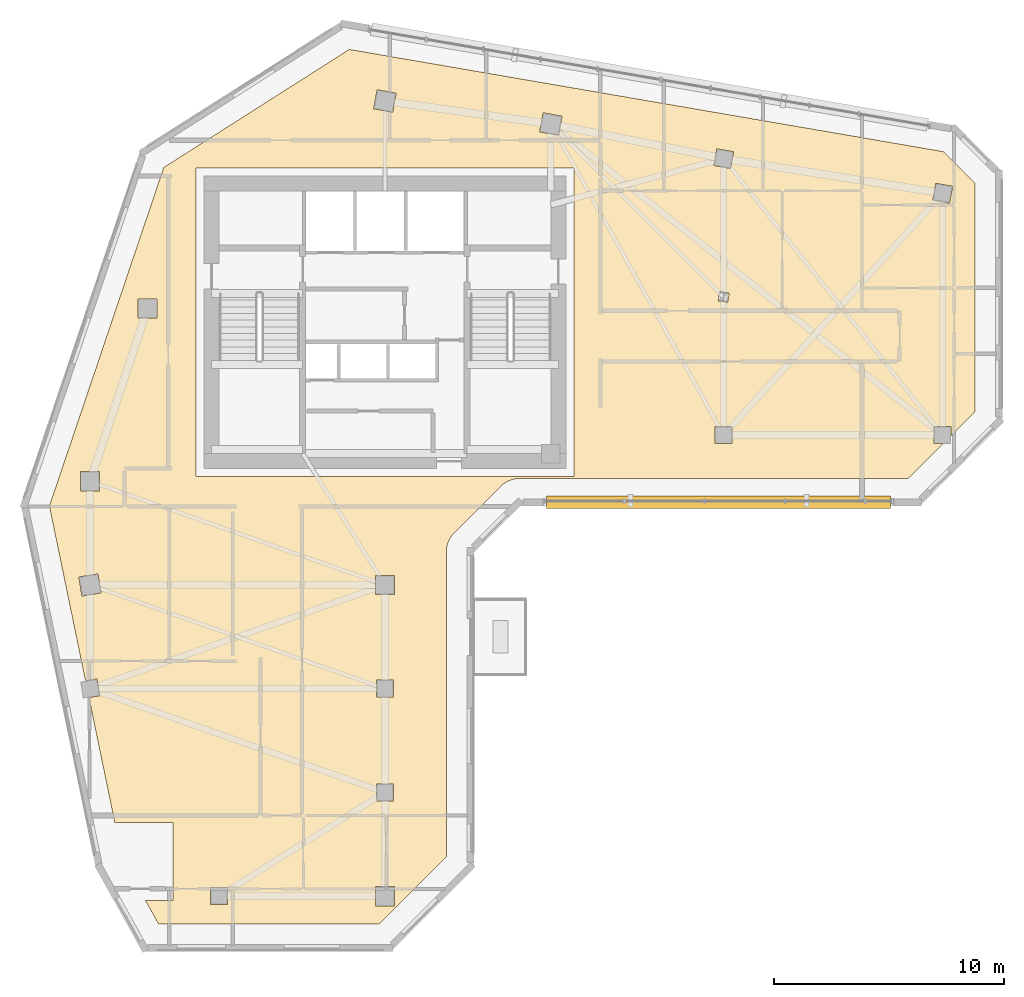
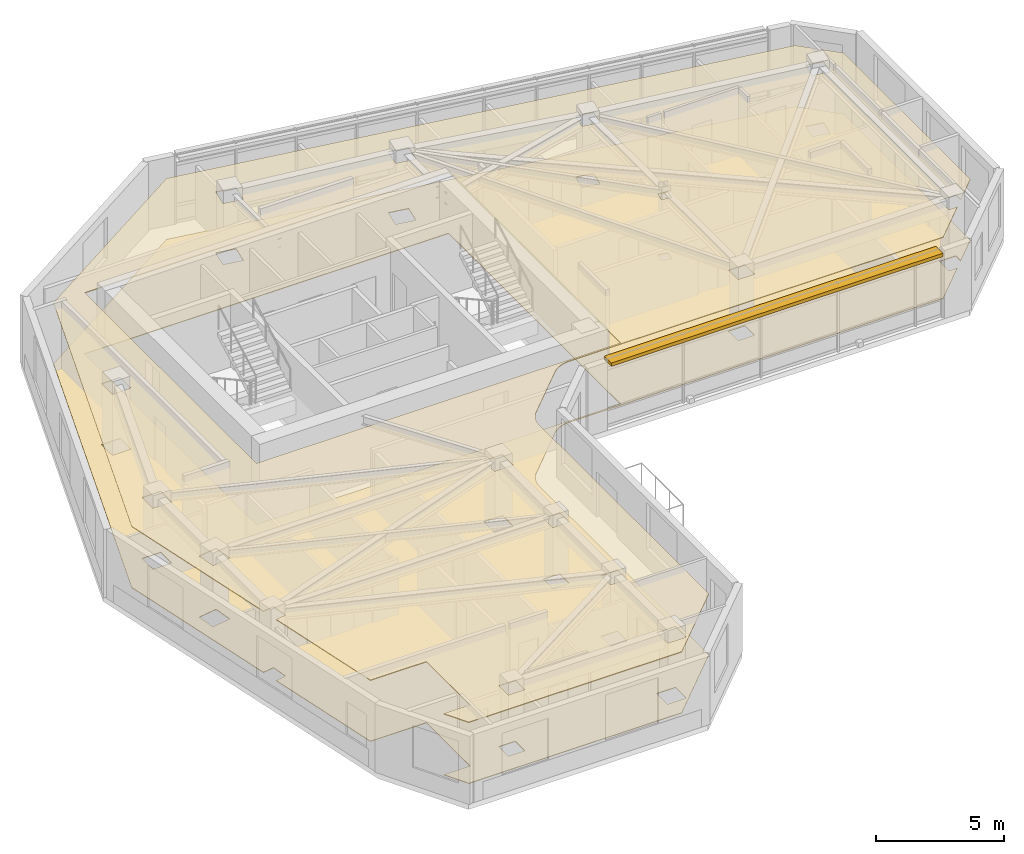
# One storey, part 9 of 10: 2 coverings, 1 shading device.
"""IFC4 building model written with IfcOpenShell, lengths in metres."""

from ifc_helpers import new_model, si_unit, direction, frame, frame_2d, origin, place, context, subcontext, project, spatial, polyline, rectangle, outline, extrude, material, layer, layer_set, type_object, element, save


model = new_model("IFC4")

# Units and contexts
model_context = context("Model", 3, precision=1e-05, world=origin(), true_north=direction((0.0, 1.0)))
body_context = subcontext(model_context, "Body", "Model", "MODEL_VIEW")
ifc_project = project(units=[si_unit("LENGTHUNIT", "METRE"), si_unit("AREAUNIT", "SQUARE_METRE"), si_unit("VOLUMEUNIT", "CUBIC_METRE"), si_unit("PLANEANGLEUNIT", "RADIAN"), si_unit("MASSUNIT", "GRAM", prefix="KILO")], contexts=[model_context])

# Site, building, storey
site_placement = place(None, origin())
site = spatial("IfcSite", under=ifc_project, at=site_placement, CompositionType="ELEMENT")
building_placement = place(site_placement, origin())
building = spatial("IfcBuilding", under=site, at=building_placement, Name="Calvemar Wedge Station Tower", CompositionType="ELEMENT")
storey_placement = place(building_placement, frame((0.0, 0.0, 193.89990234375)))
storey = spatial("IfcBuildingStorey", under=building, at=storey_placement, Name="L48", CompositionType="ELEMENT", Elevation=193.89990234375)

# Coverings
ifc_material_1 = material(Name="Moisture-resistant gypsum ceiling")
ifc_layer_1 = layer(ifc_material_1, 0.0400390625)
ifc_layer_set_1 = layer_set([ifc_layer_1], Name="Moisture-resistant gypsum ceiling")
covering_type_1 = type_object("IfcCoveringType", Name="COV-CEIL-GYPSUM", PredefinedType="CEILING", material=ifc_layer_set_1)
covering_1_placement = place(storey_placement, frame((0.0, 0.0, 2.900146484375)))
element("IfcCovering", 1, at=covering_1_placement, inside=storey, type_object=covering_type_1, Name="Storey L48 Acoustic Suspended Ceiling", PredefinedType="CEILING", context=body_context, shape_type="SweptSolid", body=[
    extrude(outline(polyline([(26.8154296875, 30.7724609375), (28.8154296875, 32.7724609375), (28.902587890625, 32.8515625), (28.997314453125, 32.921875), (29.098388671875, 32.982421875), (29.204833984375, 33.03271484375), (29.315673828125, 33.072265625), (29.429931640625, 33.100830078125), (29.54638671875, 33.1181640625), (29.6640625, 33.1240234375), (46.5029296875, 33.1240234375), (48.0087890625, 34.6298828125), (47.6298828125, 34.6298828125), (47.6298828125, 35.3701171875), (48.3701171875, 35.3701171875), (48.3701171875, 34.9912109375), (49.39990234375, 36.02099609375), (49.39990234375, 45.927001953125), (48.02099609375, 47.305908203125), (22.25341796875, 51.73876953125), (14.201416015625, 46.614990234375), (9.240966796875, 31.92431640625), (10.806884765625, 24.34375), (11.306884765625, 24.423828125), (11.423828125, 23.693115234375), (10.956787109375, 23.618408203125), (12.076171875, 18.199951171875), (14.60009765625, 18.199951171875), (14.60009765625, 14.800048828125), (13.41455078125, 14.800048828125), (13.97021484375, 13.800048828125), (23.56689453125, 13.800048828125), (26.464111328125, 16.697021484375), (26.464111328125, 29.924072265625), (26.4697265625, 30.04150390625), (26.487060546875, 30.158203125), (26.515625, 30.272216796875), (26.555419921875, 30.38330078125), (26.605712890625, 30.48974609375), (26.666259765625, 30.5908203125), (26.736328125, 30.685302734375), (26.8154296875, 30.7724609375)]), holes=[polyline([(15.60009765625, 46.60009765625), (32.0, 46.60009765625), (32.0, 33.199951171875), (15.60009765625, 33.199951171875), (15.60009765625, 46.60009765625)]), polyline([(10.580078125, 32.580078125), (10.580078125, 33.419921875), (11.419921875, 33.419921875), (11.419921875, 32.580078125), (10.580078125, 32.580078125)]), polyline([(13.080078125, 40.919921875), (13.919921875, 40.919921875), (13.919921875, 40.080078125), (13.080078125, 40.080078125), (13.080078125, 40.919921875)]), polyline([(24.28759765625, 49.839111328125), (24.138916015625, 49.01220703125), (23.312255859375, 49.160888671875), (23.4609375, 49.98779296875), (24.28759765625, 49.839111328125)]), polyline([(31.339111328125, 48.01220703125), (30.51220703125, 48.160888671875), (30.660888671875, 48.98779296875), (31.48779296875, 48.839111328125), (31.339111328125, 48.01220703125)]), polyline([(38.0703125, 46.701416015625), (38.201416015625, 47.4296875), (38.9296875, 47.298583984375), (38.798583984375, 46.5703125), (38.0703125, 46.701416015625)]), polyline([(47.701416015625, 45.9296875), (48.4296875, 45.798583984375), (48.298583984375, 45.0703125), (47.5703125, 45.201416015625), (47.701416015625, 45.9296875)]), polyline([(38.8701171875, 35.3701171875), (38.8701171875, 34.6298828125), (38.1298828125, 34.6298828125), (38.1298828125, 35.3701171875), (38.8701171875, 35.3701171875)]), polyline([(38.259765625, 40.833984375), (38.332763671875, 41.239501953125), (38.740234375, 41.166015625), (38.667236328125, 40.760498046875), (38.259765625, 40.833984375)]), polyline([(11.348388671875, 28.981201171875), (11.481201171875, 28.151611328125), (10.651611328125, 28.018798828125), (10.518798828125, 28.848388671875), (11.348388671875, 28.981201171875)]), polyline([(24.219970703125, 28.080078125), (23.3798828125, 28.080078125), (23.3798828125, 28.919921875), (24.219970703125, 28.919921875), (24.219970703125, 28.080078125)]), polyline([(23.429931640625, 23.6298828125), (23.429931640625, 24.3701171875), (24.169921875, 24.3701171875), (24.169921875, 23.6298828125), (23.429931640625, 23.6298828125)]), polyline([(23.429931640625, 19.8701171875), (24.169921875, 19.8701171875), (24.169921875, 19.1298828125), (23.429931640625, 19.1298828125), (23.429931640625, 19.8701171875)]), polyline([(24.219970703125, 15.419921875), (24.219970703125, 14.580078125), (23.3798828125, 14.580078125), (23.3798828125, 15.419921875), (24.219970703125, 15.419921875)]), polyline([(16.969970703125, 14.6298828125), (16.22998046875, 14.6298828125), (16.22998046875, 15.3701171875), (16.969970703125, 15.3701171875), (16.969970703125, 14.6298828125)])]), origin(), (0.0, 0.0, 1.0), 0.0400390625),
])
ifc_material_2 = material(Name="Honed coastal granite stone tile", Category="masonry")
ifc_layer_2 = layer(ifc_material_2, 0.030029296875)
ifc_layer_set_2 = layer_set([ifc_layer_2], Name="Honed coastal granite stone tile")
covering_type_2 = type_object("IfcCoveringType", Name="COV-FLR-STONE", PredefinedType="FLOORING", material=ifc_layer_set_2)
covering_2_placement = place(storey_placement, origin())
element("IfcCovering", 2, at=covering_2_placement, inside=storey, type_object=covering_type_2, Name="Storey L48 Architectural Floor Finish", PredefinedType="FLOORING", context=body_context, shape_type="SweptSolid", body=[
    extrude(outline(polyline([(26.8154296875, 30.7724609375), (28.8154296875, 32.7724609375), (28.902587890625, 32.8515625), (28.997314453125, 32.921875), (29.098388671875, 32.982421875), (29.204833984375, 33.03271484375), (29.315673828125, 33.072265625), (29.429931640625, 33.100830078125), (29.54638671875, 33.1181640625), (29.6640625, 33.1240234375), (46.5029296875, 33.1240234375), (48.0087890625, 34.6298828125), (47.6298828125, 34.6298828125), (47.6298828125, 35.3701171875), (48.3701171875, 35.3701171875), (48.3701171875, 34.9912109375), (49.39990234375, 36.02099609375), (49.39990234375, 45.927001953125), (48.02099609375, 47.305908203125), (22.25341796875, 51.73876953125), (14.201416015625, 46.614990234375), (9.240966796875, 31.92431640625), (10.806884765625, 24.34375), (11.306884765625, 24.423828125), (11.423828125, 23.693115234375), (10.956787109375, 23.618408203125), (12.076171875, 18.199951171875), (14.60009765625, 18.199951171875), (14.60009765625, 14.800048828125), (13.41455078125, 14.800048828125), (13.97021484375, 13.800048828125), (23.56689453125, 13.800048828125), (26.464111328125, 16.697021484375), (26.464111328125, 29.924072265625), (26.4697265625, 30.04150390625), (26.487060546875, 30.158203125), (26.515625, 30.272216796875), (26.555419921875, 30.38330078125), (26.605712890625, 30.48974609375), (26.666259765625, 30.5908203125), (26.736328125, 30.685302734375), (26.8154296875, 30.7724609375)]), holes=[polyline([(15.60009765625, 46.60009765625), (32.0, 46.60009765625), (32.0, 33.199951171875), (15.60009765625, 33.199951171875), (15.60009765625, 46.60009765625)]), polyline([(10.580078125, 32.580078125), (10.580078125, 33.419921875), (11.419921875, 33.419921875), (11.419921875, 32.580078125), (10.580078125, 32.580078125)]), polyline([(13.080078125, 40.919921875), (13.919921875, 40.919921875), (13.919921875, 40.080078125), (13.080078125, 40.080078125), (13.080078125, 40.919921875)]), polyline([(24.28759765625, 49.839111328125), (24.138916015625, 49.01220703125), (23.312255859375, 49.160888671875), (23.4609375, 49.98779296875), (24.28759765625, 49.839111328125)]), polyline([(31.339111328125, 48.01220703125), (30.51220703125, 48.160888671875), (30.660888671875, 48.98779296875), (31.48779296875, 48.839111328125), (31.339111328125, 48.01220703125)]), polyline([(38.0703125, 46.701416015625), (38.201416015625, 47.4296875), (38.9296875, 47.298583984375), (38.798583984375, 46.5703125), (38.0703125, 46.701416015625)]), polyline([(47.701416015625, 45.9296875), (48.4296875, 45.798583984375), (48.298583984375, 45.0703125), (47.5703125, 45.201416015625), (47.701416015625, 45.9296875)]), polyline([(38.8701171875, 35.3701171875), (38.8701171875, 34.6298828125), (38.1298828125, 34.6298828125), (38.1298828125, 35.3701171875), (38.8701171875, 35.3701171875)]), polyline([(38.259765625, 40.833984375), (38.332763671875, 41.239501953125), (38.740234375, 41.166015625), (38.667236328125, 40.760498046875), (38.259765625, 40.833984375)]), polyline([(11.348388671875, 28.981201171875), (11.481201171875, 28.151611328125), (10.651611328125, 28.018798828125), (10.518798828125, 28.848388671875), (11.348388671875, 28.981201171875)]), polyline([(24.219970703125, 28.080078125), (23.3798828125, 28.080078125), (23.3798828125, 28.919921875), (24.219970703125, 28.919921875), (24.219970703125, 28.080078125)]), polyline([(23.429931640625, 23.6298828125), (23.429931640625, 24.3701171875), (24.169921875, 24.3701171875), (24.169921875, 23.6298828125), (23.429931640625, 23.6298828125)]), polyline([(23.429931640625, 19.8701171875), (24.169921875, 19.8701171875), (24.169921875, 19.1298828125), (23.429931640625, 19.1298828125), (23.429931640625, 19.8701171875)]), polyline([(24.219970703125, 15.419921875), (24.219970703125, 14.580078125), (23.3798828125, 14.580078125), (23.3798828125, 15.419921875), (24.219970703125, 15.419921875)]), polyline([(16.969970703125, 14.6298828125), (16.22998046875, 14.6298828125), (16.22998046875, 15.3701171875), (16.969970703125, 15.3701171875), (16.969970703125, 14.6298828125)])]), origin(), (0.0, 0.0, 1.0), 0.030029296875),
])

# Shading device
ifc_material_3 = material(Name="Precast concrete C45", Category="concrete")
shading_device_type = type_object("IfcShadingDeviceType", Name="SHD-EYEBROW-1", PredefinedType="SHUTTER", material=ifc_material_3)
shading_device_placement = place(storey_placement, frame((30.802001953125, 32.093994140625, 3.070068359375), z_axis=(0.0, 0.0, 1.0), x_axis=(1.0, 0.0, 0.0)))
element("IfcShadingDevice", 3, at=shading_device_placement, inside=storey, type_object=shading_device_type, Name="Storey L48 Bronze GFRC Solar Eyebrow 6", PredefinedType="SHUTTER", context=body_context, shape_type="SweptSolid", body=[
    extrude(rectangle(XDim=14.935791015625, YDim=0.550048828125, at=frame_2d((7.4677734375, 0.0))), origin(), (0.0, 0.0, 1.0), 0.159912109375),
])

save(model, "model.ifc")
